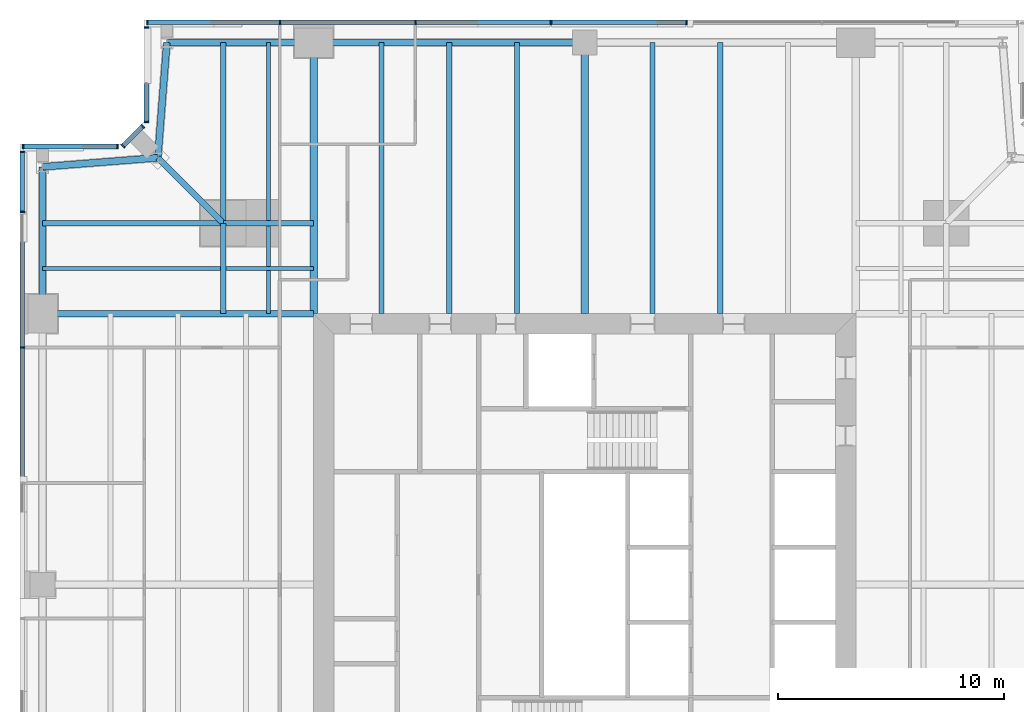
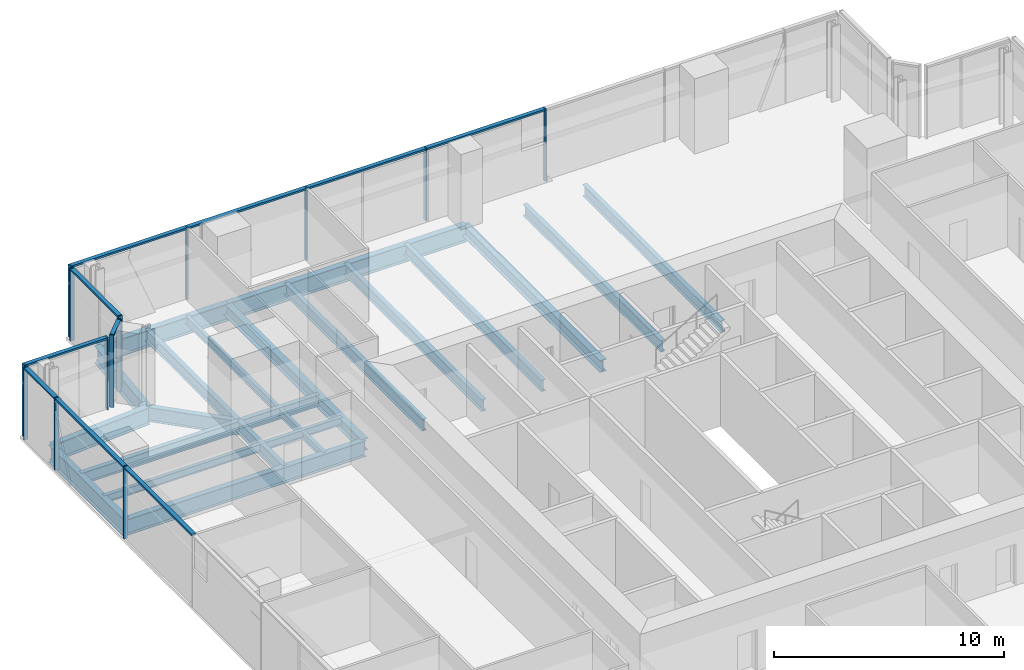
# One storey, part 6 of 16: 24 members, 23 beams, 5 elements without a shape of their own.
"""IFC4 building model written with IfcOpenShell, lengths in metres."""

import ifcopenshell
import ifcopenshell.guid

model = None  # the IFC model being written
_history = None  # IfcOwnerHistory: only IFC2X3 demands one
_inside = {}  # id of a spatial element -> (the spatial element, [elements in it])
_under = {}  # id of a project, library or spatial element -> (it, [spatial elements below it])
_declared = {}  # id of a project -> (the project, [libraries it declares])
_typed = {}  # id of a type object -> (the type object, [elements of that type])
_made_of = {}  # id of a material, layer set ... -> (it, [elements and type objects made of it])


def new_model(schema):
    """Start an empty IFC model of exactly this schema.

    Asked for "IFC4X3", IfcOpenShell would pick the latest addendum, in which some entities
    have other attributes; the version numbers below select the first issue.
    IFC2X3 requires an IfcOwnerHistory on every rooted entity: one is made here for all.
    """
    global model, _history
    if schema == "IFC4X3":
        model = ifcopenshell.file(schema_version=(4, 3, 0, 0))
    else:
        model = ifcopenshell.file(schema=schema)
    _inside.clear()
    _under.clear()
    _declared.clear()
    _typed.clear()
    _made_of.clear()
    _history = None
    if model.schema == "IFC2X3":
        org = make("IfcOrganization", Name="unknown")
        user = make(
            "IfcPersonAndOrganization",
            ThePerson=make("IfcPerson", FamilyName="unknown"),
            TheOrganization=org,
        )
        app = make(
            "IfcApplication",
            ApplicationDeveloper=org,
            Version="unknown",
            ApplicationFullName="unknown",
            ApplicationIdentifier="unknown",
        )
        _history = make(
            "IfcOwnerHistory",
            OwningUser=user,
            OwningApplication=app,
            ChangeAction="ADDED",
            CreationDate=0,
        )
    return model


def make(cls, **values):
    """One entity of the class cls with the attributes given. An attribute that is None is left unset."""
    return model.create_entity(
        cls, **{name: value for name, value in values.items() if value is not None}
    )


def rooted(cls, **values):
    """An entity with a GlobalId (a new one), such as an element, a storey or a relation."""
    return make(cls, GlobalId=ifcopenshell.guid.new(), OwnerHistory=_history, **values)


def si_unit(unit_type, name, prefix=None):
    """IfcSIUnit, for example si_unit("LENGTHUNIT", "METRE", prefix="MILLI")."""
    return make("IfcSIUnit", UnitType=unit_type, Prefix=prefix, Name=name)


def assignment(units):
    """IfcUnitAssignment: the units of a project."""
    return None if units is None else make("IfcUnitAssignment", Units=units)


def point(xyz):
    """IfcCartesianPoint."""
    return None if xyz is None else make("IfcCartesianPoint", Coordinates=xyz)


def direction(xyz):
    """IfcDirection."""
    return None if xyz is None else make("IfcDirection", DirectionRatios=xyz)


def frame(location, z_axis=None, x_axis=None):
    """IfcAxis2Placement3D, a coordinate frame: its origin and axes. An axis left out is left unset."""
    return make(
        "IfcAxis2Placement3D",
        Location=point(location),
        Axis=direction(z_axis),
        RefDirection=direction(x_axis),
    )


def frame_2d(location, x_axis=None):
    """IfcAxis2Placement2D, a coordinate frame in the plane: its origin and x axis."""
    return make(
        "IfcAxis2Placement2D", Location=point(location), RefDirection=direction(x_axis)
    )


def origin():
    """The frame at (0, 0, 0) with its axes left unset."""
    return frame((0.0, 0.0, 0.0))


def origin_2d():
    """The frame at (0, 0) in the plane with its x axis left unset."""
    return frame_2d((0.0, 0.0))


def place(relative_to, where):
    """IfcLocalPlacement: puts the frame where relative to a parent placement (None: the world)."""
    return make(
        "IfcLocalPlacement", PlacementRelTo=relative_to, RelativePlacement=where
    )


def context(
    kind, dimensions, precision=None, world=None, true_north=None, identifier=None
):
    """IfcGeometricRepresentationContext, for example the 3D "Model" context."""
    return make(
        "IfcGeometricRepresentationContext",
        ContextIdentifier=identifier,
        ContextType=kind,
        CoordinateSpaceDimension=dimensions,
        Precision=precision,
        WorldCoordinateSystem=world,
        TrueNorth=true_north,
    )


def subcontext(parent, identifier, kind, view, scale=None):
    """IfcGeometricRepresentationSubContext, for example "Body" below "Model"."""
    return make(
        "IfcGeometricRepresentationSubContext",
        ContextIdentifier=identifier,
        ContextType=kind,
        ParentContext=parent,
        TargetScale=scale,
        TargetView=view,
    )


def project(units=None, contexts=None):
    """IfcProject with its units and contexts."""
    return rooted(
        "IfcProject",
        Name="project",
        RepresentationContexts=contexts,
        UnitsInContext=assignment(units),
    )


def spatial(cls, under=None, at=None, **own):
    """A site, building, storey or space (cls), placed at a placement, below another one or the project."""
    s = rooted(cls, ObjectPlacement=at, **own)
    if under is not None:
        _under.setdefault(under.id(), (under, []))[1].append(s)
    return s


def profile(cls, at=None, kind="AREA", **sizes):
    """A parametric profile (cls). Its sizes go by their IFC names, for example OverallWidth=200.0."""
    return make(cls, ProfileType=kind, Position=at, **sizes)


def rectangle(**sizes):
    """IfcRectangleProfileDef."""
    return profile("IfcRectangleProfileDef", **sizes)


def i_section(**sizes):
    """IfcIShapeProfileDef."""
    return profile("IfcIShapeProfileDef", **sizes)


def extrude(swept, where, along, depth):
    """IfcExtrudedAreaSolid: the profile swept, set in the frame where, extruded along a direction by depth."""
    return make(
        "IfcExtrudedAreaSolid",
        SweptArea=swept,
        Position=where,
        ExtrudedDirection=direction(along),
        Depth=depth,
    )


def shape(context_of_items, identifier, shape_type, items):
    """IfcShapeRepresentation: the items that make up one representation, for example the "Body"."""
    return make(
        "IfcShapeRepresentation",
        ContextOfItems=context_of_items,
        RepresentationIdentifier=identifier,
        RepresentationType=shape_type,
        Items=items,
    )


def material(Name=None, Category=None):
    """IfcMaterial."""
    return make("IfcMaterial", Name=Name, Category=Category)


def material_profile(
    of_material, cross_section, Name=None, Category=None, Priority=None
):
    """IfcMaterialProfile: a cross section and its material."""
    return make(
        "IfcMaterialProfile",
        Name=Name,
        Material=of_material,
        Profile=cross_section,
        Priority=Priority,
        Category=Category,
    )


def profile_set(profiles, Name=None, composite=None):
    """IfcMaterialProfileSet."""
    return make(
        "IfcMaterialProfileSet",
        Name=Name,
        MaterialProfiles=profiles,
        CompositeProfile=composite,
    )


def made_of(thing, what):
    """Note that an element or type object is made of a material, layer set ...; save() writes the relation."""
    if what is not None:
        _made_of.setdefault(what.id(), (what, []))[1].append(thing)
    return thing


def type_object(cls, material=None, **own):
    """A type object (cls), such as IfcWallType, which elements share."""
    return made_of(rooted(cls, **own), material)


def element(
    cls,
    number,
    at=None,
    inside=None,
    cuts=None,
    type_object=None,
    material=None,
    context=None,
    identifier="Body",
    shape_type=None,
    held_by="IfcProductDefinitionShape",
    body=None,
    shapes=None,
    **own,
):
    """One element of the class cls, such as IfcWall. Its Tag is "e" and its number.

    at: its placement. inside: the storey or other place that contains it. cuts: it is an
    opening in that element (IfcRelVoidsElement). A single representation is given by context,
    identifier, shape_type and body (its items); several are given by shapes. held_by: the class
    of the entity that holds the representations. save() writes the other relations.
    """
    e = rooted(cls, Tag="e%d" % number, ObjectPlacement=at, **own)
    if body is not None:
        shapes = [shape(context, identifier, shape_type, body)]
    if shapes is not None:
        e.Representation = make(held_by, Representations=shapes)
    if inside is not None:
        _inside.setdefault(inside.id(), (inside, []))[1].append(e)
    if cuts is not None:
        rooted(
            "IfcRelVoidsElement", RelatingBuildingElement=cuts, RelatedOpeningElement=e
        )
    if type_object is not None:
        _typed.setdefault(type_object.id(), (type_object, []))[1].append(e)
    return made_of(e, material)


def aggregate(whole, parts):
    """IfcRelAggregates: a whole, such as a stair, and the parts it consists of."""
    return rooted("IfcRelAggregates", RelatingObject=whole, RelatedObjects=parts)


def save(model, path):
    """Write the relations noted so far, then the file.

    IfcRelAggregates (storeys below a building ...), IfcRelContainedInSpatialStructure (elements
    in a storey), IfcRelDefinesByType, IfcRelAssociatesMaterial and IfcRelDeclares: one each for
    every whole, place, type object, material and project.
    """
    for whole, parts in _under.values():
        aggregate(whole, parts)
    for where, things in _inside.values():
        rooted(
            "IfcRelContainedInSpatialStructure",
            RelatedElements=things,
            RelatingStructure=where,
        )
    for kind, things in _typed.values():
        rooted("IfcRelDefinesByType", RelatedObjects=things, RelatingType=kind)
    for what, things in _made_of.values():
        rooted("IfcRelAssociatesMaterial", RelatedObjects=things, RelatingMaterial=what)
    for by, libraries in _declared.values():
        rooted("IfcRelDeclares", RelatingContext=by, RelatedDefinitions=libraries)
    model.write(path)


model = new_model("IFC4")

# Units and contexts
model_context = context("Model", 3, precision=1e-05, world=origin(), true_north=direction((0.0, 1.0)))
body_context = subcontext(model_context, "Body", "Model", "MODEL_VIEW")
ifc_project = project(units=[si_unit("LENGTHUNIT", "METRE"), si_unit("AREAUNIT", "SQUARE_METRE"), si_unit("VOLUMEUNIT", "CUBIC_METRE"), si_unit("PLANEANGLEUNIT", "RADIAN"), si_unit("MASSUNIT", "GRAM", prefix="KILO")], contexts=[model_context])

# Site, building, storey
site_placement = place(None, origin())
site = spatial("IfcSite", under=ifc_project, at=site_placement, CompositionType="ELEMENT")
building_placement = place(site_placement, origin())
building = spatial("IfcBuilding", under=site, at=building_placement, Name="Fenwick Lantern Interchange", CompositionType="ELEMENT")
storey_placement = place(building_placement, frame((0.0, 0.0, 213.800048828125)))
storey = spatial("IfcBuildingStorey", under=building, at=storey_placement, Name="L50", CompositionType="ELEMENT", Elevation=213.800048828125)

# Beams
ifc_material_1 = material(Name="Steel ASTM A992 Grade 50", Category="steel")
ifc_material_profile_1 = material_profile(ifc_material_1, i_section(OverallWidth=0.3046875, OverallDepth=0.911865234375, WebThickness=0.015869140625, FlangeThickness=0.02392578125, at=origin_2d()), Name="W36X150")
ifc_profile_set_1 = profile_set([ifc_material_profile_1], Name="Steel ASTM A992 Grade 50")
beam_type_1 = type_object("IfcBeamType", Name="EDGE BEAM W36X150", PredefinedType="SPANDREL", material=ifc_profile_set_1)
beam_1_placement = place(storey_placement, frame((25.0, 49.0, -0.60595703125), z_axis=(-1.0, 0.0, 0.0), x_axis=(0.0, -1.0, 0.0)))
element("IfcBeam", 1, at=beam_1_placement, inside=storey, type_object=beam_type_1, Name="L50/FR/N/EB3", PredefinedType="SPANDREL", context=body_context, shape_type="SweptSolid", body=[
    extrude(i_section(OverallWidth=0.3046875, OverallDepth=0.911865234375, WebThickness=0.015869140625, FlangeThickness=0.02392578125, at=origin_2d()), origin(), (0.0, 0.0, 1.0), 12.0),
])
beam_2_placement = place(storey_placement, frame((13.0, 49.0, -0.60595703125), z_axis=(-1.0, 0.0, 0.0), x_axis=(0.0, -1.0, 0.0)))
element("IfcBeam", 2, at=beam_2_placement, inside=storey, type_object=beam_type_1, Name="L50/FR/N/EB4", PredefinedType="SPANDREL", context=body_context, shape_type="SweptSolid", body=[
    extrude(i_section(OverallWidth=0.3046875, OverallDepth=0.911865234375, WebThickness=0.015869140625, FlangeThickness=0.02392578125, at=origin_2d()), origin(), (0.0, 0.0, 1.0), 6.5),
])
for number, where, z_axis, x_axis, name in (
    (3, (6.5, 49.0, -0.60595703125), (-0.078170784639, -0.99693998236, 0.0), (0.99693998236, -0.078170784639, 0.0), "L50/FR/N/EBR1"),
    (4, (6.10009765625, 43.89990234375, -0.60595703125), (-0.99693998236, -0.078170784639, 0.0), (0.078170784639, -0.99693998236, 0.0), "L50/FR/N/EBR2"),
):
    element("IfcBeam", number, at=place(storey_placement, frame(where, z_axis=z_axis, x_axis=x_axis)), inside=storey, type_object=beam_type_1, Name=name, PredefinedType="SPANDREL", context=body_context, shape_type="SweptSolid", body=[
        extrude(i_section(OverallWidth=0.3046875, OverallDepth=0.911865234375, WebThickness=0.015869140625, FlangeThickness=0.02392578125, at=origin_2d()), origin(), (0.0, 0.0, 1.0), 5.11572265625),
    ])
beam_3_placement = place(storey_placement, frame((1.0, 43.5, -0.60595703125), z_axis=(0.0, -1.0, 0.0), x_axis=(1.0, 0.0, 0.0)))
element("IfcBeam", 5, at=beam_3_placement, inside=storey, type_object=beam_type_1, Name="L50/FR/W/EB1", PredefinedType="SPANDREL", context=body_context, shape_type="SweptSolid", body=[
    extrude(i_section(OverallWidth=0.3046875, OverallDepth=0.911865234375, WebThickness=0.015869140625, FlangeThickness=0.02392578125, at=origin_2d()), origin(), (0.0, 0.0, 1.0), 6.5),
])
ifc_material_profile_2 = material_profile(ifc_material_1, i_section(OverallWidth=0.22900390625, OverallDepth=0.612060546875, WebThickness=0.011962890625, FlangeThickness=0.01953125, at=origin_2d()), Name="W24X84")
ifc_profile_set_2 = profile_set([ifc_material_profile_2], Name="Steel ASTM A992 Grade 50")
beam_type_2 = type_object("IfcBeamType", Name="FLOOR BEAM W24X84", PredefinedType="BEAM", material=ifc_profile_set_2)
for number, where, z_axis, x_axis, name in (
    (6, (31.0, 49.0, -0.4560546875), (0.0, -1.0, 0.0), (1.0, 0.0, 0.0), "L50/FR/N/R03"),
    (7, (28.0, 49.0, -0.4560546875), (0.0, -1.0, 0.0), (1.0, 0.0, 0.0), "L50/FR/N/R04"),
    (8, (22.0, 49.0, -0.4560546875), (0.0, -1.0, 0.0), (1.0, 0.0, 0.0), "L50/FR/N/R06"),
    (9, (19.0, 49.0, -0.4560546875), (0.0, -1.0, 0.0), (1.0, 0.0, 0.0), "L50/FR/N/R07"),
    (10, (16.0, 49.0, -0.4560546875), (0.0, -1.0, 0.0), (1.0, 0.0, 0.0), "L50/FR/N/R08"),
):
    element("IfcBeam", number, at=place(storey_placement, frame(where, z_axis=z_axis, x_axis=x_axis)), inside=storey, type_object=beam_type_2, Name=name, PredefinedType="BEAM", context=body_context, shape_type="SweptSolid", body=[
        extrude(i_section(OverallWidth=0.22900390625, OverallDepth=0.612060546875, WebThickness=0.011962890625, FlangeThickness=0.01953125, at=origin_2d()), origin(), (0.0, 0.0, 1.0), 12.0),
    ])
ifc_material_profile_3 = material_profile(ifc_material_1, i_section(OverallWidth=0.177734375, OverallDepth=0.406494140625, WebThickness=0.0078125, FlangeThickness=0.012939453125, at=origin_2d()), Name="W16X40")
ifc_profile_set_3 = profile_set([ifc_material_profile_3], Name="Steel ASTM A992 Grade 50")
beam_type_3 = type_object("IfcBeamType", Name="INFILL BEAM W16X40", PredefinedType="JOIST", material=ifc_profile_set_3)
beam_4_placement = place(storey_placement, frame((1.0, 39.0, -0.353271484375), z_axis=(1.0, 0.0, 0.0), x_axis=(0.0, 1.0, 0.0)))
element("IfcBeam", 11, at=beam_4_placement, inside=storey, type_object=beam_type_3, Name="L50/FR/W/J1", PredefinedType="JOIST", context=body_context, shape_type="SweptSolid", body=[
    extrude(i_section(OverallWidth=0.177734375, OverallDepth=0.406494140625, WebThickness=0.0078125, FlangeThickness=0.012939453125, at=origin_2d()), origin(), (0.0, 0.0, 1.0), 7.885498046875),
])
beam_5_placement = place(storey_placement, frame((9.114501953125, 39.0, -0.353271484375), z_axis=(1.0, 0.0, 0.0), x_axis=(0.0, 1.0, 0.0)))
element("IfcBeam", 12, at=beam_5_placement, inside=storey, type_object=beam_type_3, Name="L50/FR/W/J2", PredefinedType="JOIST", context=body_context, shape_type="SweptSolid", body=[
    extrude(i_section(OverallWidth=0.177734375, OverallDepth=0.406494140625, WebThickness=0.0078125, FlangeThickness=0.012939453125, at=origin_2d()), origin(), (0.0, 0.0, 1.0), 3.885498046875),
])
beam_6_placement = place(storey_placement, frame((11.0, 49.0, -0.353271484375), z_axis=(0.0, -1.0, 0.0), x_axis=(1.0, 0.0, 0.0)))
element("IfcBeam", 13, at=beam_6_placement, inside=storey, type_object=beam_type_3, Name="L50/FR/W/J3", PredefinedType="JOIST", context=body_context, shape_type="SweptSolid", body=[
    extrude(i_section(OverallWidth=0.177734375, OverallDepth=0.406494140625, WebThickness=0.0078125, FlangeThickness=0.012939453125, at=origin_2d()), origin(), (0.0, 0.0, 1.0), 7.885498046875),
])
beam_7_placement = place(storey_placement, frame((11.0, 40.885498046875, -0.353271484375), z_axis=(0.0, -1.0, 0.0), x_axis=(1.0, 0.0, 0.0)))
element("IfcBeam", 14, at=beam_7_placement, inside=storey, type_object=beam_type_3, Name="L50/FR/W/J4", PredefinedType="JOIST", context=body_context, shape_type="SweptSolid", body=[
    extrude(i_section(OverallWidth=0.177734375, OverallDepth=0.406494140625, WebThickness=0.0078125, FlangeThickness=0.012939453125, at=origin_2d()), origin(), (0.0, 0.0, 1.0), 1.796630859375),
])
beam_8_placement = place(storey_placement, frame((11.0, 38.9111328125, -0.353271484375), z_axis=(0.0, -1.0, 0.0), x_axis=(1.0, 0.0, 0.0)))
element("IfcBeam", 15, at=beam_8_placement, inside=storey, type_object=beam_type_3, Name="L50/FR/W/J5", PredefinedType="JOIST", context=body_context, shape_type="SweptSolid", body=[
    extrude(i_section(OverallWidth=0.177734375, OverallDepth=0.406494140625, WebThickness=0.0078125, FlangeThickness=0.012939453125, at=origin_2d()), origin(), (0.0, 0.0, 1.0), 1.9111328125),
])
ifc_material_profile_4 = material_profile(ifc_material_1, i_section(OverallWidth=0.22900390625, OverallDepth=0.612060546875, WebThickness=0.011962890625, FlangeThickness=0.01953125, at=origin_2d()), Name="W24X84")
ifc_profile_set_4 = profile_set([ifc_material_profile_4], Name="Steel ASTM A992 Grade 50")
beam_type_4 = type_object("IfcBeamType", Name="MEGA COLUMN BEAM W24X84", PredefinedType="BEAM", material=ifc_profile_set_4)
for number, where, z_axis, x_axis, name in (
    (16, (9.0, 41.0, -0.4560546875), (-1.0, 0.0, 0.0), (0.0, -1.0, 0.0), "L50/FR/W/MB1"),
    (17, (9.0, 41.0, -0.4560546875), (0.0, 1.0, 0.0), (-1.0, 0.0, 0.0), "L50/FR/W/MB2"),
):
    element("IfcBeam", number, at=place(storey_placement, frame(where, z_axis=z_axis, x_axis=x_axis)), inside=storey, type_object=beam_type_4, Name=name, PredefinedType="BEAM", context=body_context, shape_type="SweptSolid", body=[
        extrude(i_section(OverallWidth=0.22900390625, OverallDepth=0.612060546875, WebThickness=0.011962890625, FlangeThickness=0.01953125, at=origin_2d()), origin(), (0.0, 0.0, 1.0), 8.0),
    ])
for number, where, z_axis, x_axis, name in (
    (18, (9.0, 41.0, -0.4560546875), (0.0, -1.0, 0.0), (1.0, 0.0, 0.0), "L50/FR/W/MB3"),
    (19, (9.0, 41.0, -0.4560546875), (1.0, 0.0, 0.0), (0.0, 1.0, 0.0), "L50/FR/W/MB4"),
):
    element("IfcBeam", number, at=place(storey_placement, frame(where, z_axis=z_axis, x_axis=x_axis)), inside=storey, type_object=beam_type_4, Name=name, PredefinedType="BEAM", context=body_context, shape_type="SweptSolid", body=[
        extrude(i_section(OverallWidth=0.22900390625, OverallDepth=0.612060546875, WebThickness=0.011962890625, FlangeThickness=0.01953125, at=origin_2d()), origin(), (0.0, 0.0, 1.0), 4.0),
    ])
ifc_material_profile_5 = material_profile(ifc_material_1, i_section(OverallWidth=0.32763671875, OverallDepth=0.622314453125, WebThickness=0.015380859375, FlangeThickness=0.0244140625, at=origin_2d()), Name="W24X131")
ifc_profile_set_5 = profile_set([ifc_material_profile_5], Name="Steel ASTM A992 Grade 50")
beam_type_5 = type_object("IfcBeamType", Name="MOMENT-CONNECTED GIRDER W24X131", PredefinedType="BEAM", material=ifc_profile_set_5)
for number, where, z_axis, x_axis, name in (
    (20, (25.0, 49.0, -0.461181640625), (0.0, -1.0, 0.0), (1.0, 0.0, 0.0), "L50/FR/N/R05"),
    (21, (13.0, 49.0, -0.461181640625), (0.0, -1.0, 0.0), (1.0, 0.0, 0.0), "L50/FR/N/R09"),
):
    element("IfcBeam", number, at=place(storey_placement, frame(where, z_axis=z_axis, x_axis=x_axis)), inside=storey, type_object=beam_type_5, Name=name, PredefinedType="BEAM", context=body_context, shape_type="SweptSolid", body=[
        extrude(i_section(OverallWidth=0.32763671875, OverallDepth=0.622314453125, WebThickness=0.015380859375, FlangeThickness=0.0244140625, at=origin_2d()), origin(), (0.0, 0.0, 1.0), 12.0),
    ])
ifc_material_profile_6 = material_profile(ifc_material_1, i_section(OverallWidth=0.2919921875, OverallDepth=0.845703125, WebThickness=0.015380859375, FlangeThickness=0.0244140625, at=origin_2d()), Name="W33X141")
ifc_profile_set_6 = profile_set([ifc_material_profile_6], Name="Steel ASTM A992 Grade 50")
beam_type_6 = type_object("IfcBeamType", Name="MOMENT-CONNECTED GIRDER W33X141", PredefinedType="BEAM", material=ifc_profile_set_6)
beam_9_placement = place(storey_placement, frame((1.0, 37.0, -0.572998046875), z_axis=(1.0, 0.0, 0.0), x_axis=(0.0, 1.0, 0.0)))
element("IfcBeam", 22, at=beam_9_placement, inside=storey, type_object=beam_type_6, Name="L50/FR/W/R01", PredefinedType="BEAM", context=body_context, shape_type="SweptSolid", body=[
    extrude(i_section(OverallWidth=0.2919921875, OverallDepth=0.845703125, WebThickness=0.015380859375, FlangeThickness=0.0244140625, at=origin_2d()), origin(), (0.0, 0.0, 1.0), 12.0),
])
ifc_material_profile_7 = material_profile(ifc_material_1, i_section(OverallWidth=0.2666015625, OverallDepth=0.7568359375, WebThickness=0.013916015625, FlangeThickness=0.019287109375, at=origin_2d()), Name="W30X108")
ifc_profile_set_7 = profile_set([ifc_material_profile_7], Name="Steel ASTM A992 Grade 50")
beam_type_7 = type_object("IfcBeamType", Name="NOTCH BEAM W30X108", PredefinedType="BEAM", material=ifc_profile_set_7)
beam_10_placement = place(storey_placement, frame((9.0, 41.0, -0.528564453125), z_axis=(-0.707106781187, 0.707106781187, 0.0), x_axis=(-0.707106781187, -0.707106781187, 0.0)))
element("IfcBeam", 23, at=beam_10_placement, inside=storey, type_object=beam_type_7, Name="L50/FR/W/TG", PredefinedType="BEAM", context=body_context, shape_type="SweptSolid", body=[
    extrude(i_section(OverallWidth=0.2666015625, OverallDepth=0.7568359375, WebThickness=0.013916015625, FlangeThickness=0.019287109375, at=origin_2d()), origin(), (0.0, 0.0, 1.0), 4.10107421875),
])

# Curtain wall, members
ifc_material_2 = material(Name="Aluminium curtain wall frame", Category="aluminium")
curtain_wall_type = type_object("IfcCurtainWallType", Name="OFFICE CURTAIN WALL", PredefinedType="USERDEFINED", material=ifc_material_2)
curtain_wall_1_placement = place(storey_placement, origin())
curtain_wall_1 = element("IfcCurtainWall", 24, at=curtain_wall_1_placement, inside=storey, type_object=curtain_wall_type, Name="Office curtain wall 09", ObjectType="OFFICE CURTAIN WALL", PredefinedType="USERDEFINED")
ifc_material_3 = material(Name="Aluminium extrusion", Category="aluminium")
ifc_material_profile_8 = material_profile(ifc_material_3, rectangle(XDim=0.199951171875, YDim=0.06494140625, at=origin_2d()), Name="OFFICE CURTAIN WALL MULLION 65 X 200")
ifc_profile_set_8 = profile_set([ifc_material_profile_8], Name="Aluminium extrusion")
member_type_1 = type_object("IfcMemberType", Name="OFFICE CURTAIN WALL MULLION 65 X 200", PredefinedType="MULLION", material=ifc_profile_set_8)
member_1_placement = place(storey_placement, frame((29.5, 49.89990234375, 0.0), z_axis=(0.0, 0.0, 1.0), x_axis=(0.0, -1.0, 0.0)))
member_1 = element("IfcMember", 25, at=member_1_placement, type_object=member_type_1, Name="L50/CW/09/M03", PredefinedType="MULLION", context=body_context, shape_type="SweptSolid", body=[
    extrude(rectangle(XDim=0.199951171875, YDim=0.06494140625, at=origin_2d()), origin(), (0.0, 0.0, 1.0), 3.849853515625),
])
member_2_placement = place(storey_placement, frame((23.5, 49.89990234375, 0.0), z_axis=(0.0, 0.0, 1.0), x_axis=(0.0, -1.0, 0.0)))
member_2 = element("IfcMember", 26, at=member_2_placement, type_object=member_type_1, Name="L50/CW/09/M04", PredefinedType="MULLION", context=body_context, shape_type="SweptSolid", body=[
    extrude(rectangle(XDim=0.199951171875, YDim=0.06494140625, at=origin_2d()), origin(), (0.0, 0.0, 1.0), 3.849853515625),
])
member_3_placement = place(storey_placement, frame((17.5, 49.89990234375, 0.0), z_axis=(0.0, 0.0, 1.0), x_axis=(0.0, -1.0, 0.0)))
member_3 = element("IfcMember", 27, at=member_3_placement, type_object=member_type_1, Name="L50/CW/09/M05", PredefinedType="MULLION", context=body_context, shape_type="SweptSolid", body=[
    extrude(rectangle(XDim=0.199951171875, YDim=0.06494140625, at=origin_2d()), origin(), (0.0, 0.0, 1.0), 3.849853515625),
])
member_4_placement = place(storey_placement, frame((11.5, 49.89990234375, 0.0), z_axis=(0.0, 0.0, 1.0), x_axis=(0.0, -1.0, 0.0)))
member_4 = element("IfcMember", 28, at=member_4_placement, type_object=member_type_1, Name="L50/CW/09/M06", PredefinedType="MULLION", context=body_context, shape_type="SweptSolid", body=[
    extrude(rectangle(XDim=0.199951171875, YDim=0.06494140625, at=origin_2d()), origin(), (0.0, 0.0, 1.0), 3.849853515625),
])
member_5_placement = place(storey_placement, frame((5.632568359375, 49.89990234375, 0.0), z_axis=(0.0, 0.0, 1.0), x_axis=(0.0, -1.0, 0.0)))
member_5 = element("IfcMember", 29, at=member_5_placement, type_object=member_type_1, Name="L50/CW/09/M07", PredefinedType="MULLION", context=body_context, shape_type="SweptSolid", body=[
    extrude(rectangle(XDim=0.199951171875, YDim=0.06494140625, at=origin_2d()), origin(), (0.0, 0.0, 1.0), 3.849853515625),
])

curtain_wall_2_placement = place(storey_placement, origin())
curtain_wall_2 = element("IfcCurtainWall", 30, at=curtain_wall_2_placement, inside=storey, type_object=curtain_wall_type, Name="Office curtain wall 10", ObjectType="OFFICE CURTAIN WALL", PredefinedType="USERDEFINED")
member_6_placement = place(storey_placement, frame((5.60009765625, 49.66748046875, 0.0), z_axis=(0.0, 0.0, 1.0), x_axis=(1.0, 0.0, 0.0)))
member_6 = element("IfcMember", 31, at=member_6_placement, type_object=member_type_1, Name="L50/CW/10/M00", PredefinedType="MULLION", context=body_context, shape_type="SweptSolid", body=[
    extrude(rectangle(XDim=0.199951171875, YDim=0.06494140625, at=origin_2d()), origin(), (0.0, 0.0, 1.0), 3.849853515625),
])
member_7_placement = place(storey_placement, frame((5.60009765625, 45.490966796875, 0.0), z_axis=(0.0, 0.0, 1.0), x_axis=(1.0, 0.0, 0.0)))
member_7 = element("IfcMember", 32, at=member_7_placement, type_object=member_type_1, Name="L50/CW/10/M01", PredefinedType="MULLION", context=body_context, shape_type="SweptSolid", body=[
    extrude(rectangle(XDim=0.199951171875, YDim=0.06494140625, at=origin_2d()), origin(), (0.0, 0.0, 1.0), 3.849853515625),
])

curtain_wall_3_placement = place(storey_placement, origin())
curtain_wall_3 = element("IfcCurtainWall", 33, at=curtain_wall_3_placement, inside=storey, type_object=curtain_wall_type, Name="Office curtain wall 11", ObjectType="OFFICE CURTAIN WALL", PredefinedType="USERDEFINED")
member_8_placement = place(storey_placement, frame((5.435546875, 45.294189453125, 0.0), z_axis=(0.0, 0.0, 1.0), x_axis=(0.707106781187, -0.707106781187, 0.0)))
member_8 = element("IfcMember", 34, at=member_8_placement, type_object=member_type_1, Name="L50/CW/11/M00", PredefinedType="MULLION", context=body_context, shape_type="SweptSolid", body=[
    extrude(rectangle(XDim=0.199951171875, YDim=0.06494140625, at=origin_2d()), origin(), (0.0, 0.0, 1.0), 3.849853515625),
])
member_9_placement = place(storey_placement, frame((4.564453125, 44.423095703125, 0.0), z_axis=(0.0, 0.0, 1.0), x_axis=(0.707106781187, -0.707106781187, 0.0)))
member_9 = element("IfcMember", 35, at=member_9_placement, type_object=member_type_1, Name="L50/CW/11/M01", PredefinedType="MULLION", context=body_context, shape_type="SweptSolid", body=[
    extrude(rectangle(XDim=0.199951171875, YDim=0.06494140625, at=origin_2d()), origin(), (0.0, 0.0, 1.0), 3.849853515625),
])

curtain_wall_4_placement = place(storey_placement, origin())
curtain_wall_4 = element("IfcCurtainWall", 36, at=curtain_wall_4_placement, inside=storey, type_object=curtain_wall_type, Name="Office curtain wall 12", ObjectType="OFFICE CURTAIN WALL", PredefinedType="USERDEFINED")
member_10_placement = place(storey_placement, frame((4.308837890625, 44.39990234375, 0.0), z_axis=(0.0, 0.0, 1.0), x_axis=(0.0, -1.0, 0.0)))
member_10 = element("IfcMember", 37, at=member_10_placement, type_object=member_type_1, Name="L50/CW/12/M00", PredefinedType="MULLION", context=body_context, shape_type="SweptSolid", body=[
    extrude(rectangle(XDim=0.199951171875, YDim=0.06494140625, at=origin_2d()), origin(), (0.0, 0.0, 1.0), 3.849853515625),
])
member_11_placement = place(storey_placement, frame((0.132568359375, 44.39990234375, 0.0), z_axis=(0.0, 0.0, 1.0), x_axis=(0.0, -1.0, 0.0)))
member_11 = element("IfcMember", 38, at=member_11_placement, type_object=member_type_1, Name="L50/CW/12/M01", PredefinedType="MULLION", context=body_context, shape_type="SweptSolid", body=[
    extrude(rectangle(XDim=0.199951171875, YDim=0.06494140625, at=origin_2d()), origin(), (0.0, 0.0, 1.0), 3.849853515625),
])

curtain_wall_5_placement = place(storey_placement, origin())
curtain_wall_5 = element("IfcCurtainWall", 39, at=curtain_wall_5_placement, inside=storey, type_object=curtain_wall_type, Name="Office curtain wall 13", ObjectType="OFFICE CURTAIN WALL", PredefinedType="USERDEFINED")
member_12_placement = place(storey_placement, frame((0.10009765625, 44.16748046875, 0.0), z_axis=(0.0, 0.0, 1.0), x_axis=(1.0, 0.0, 0.0)))
member_12 = element("IfcMember", 40, at=member_12_placement, type_object=member_type_1, Name="L50/CW/13/M00", PredefinedType="MULLION", context=body_context, shape_type="SweptSolid", body=[
    extrude(rectangle(XDim=0.199951171875, YDim=0.06494140625, at=origin_2d()), origin(), (0.0, 0.0, 1.0), 3.849853515625),
])
member_13_placement = place(storey_placement, frame((0.10009765625, 41.5, 0.0), z_axis=(0.0, 0.0, 1.0), x_axis=(1.0, 0.0, 0.0)))
member_13 = element("IfcMember", 41, at=member_13_placement, type_object=member_type_1, Name="L50/CW/13/M01", PredefinedType="MULLION", context=body_context, shape_type="SweptSolid", body=[
    extrude(rectangle(XDim=0.199951171875, YDim=0.06494140625, at=origin_2d()), origin(), (0.0, 0.0, 1.0), 3.849853515625),
])
member_14_placement = place(storey_placement, frame((0.10009765625, 35.5, 0.0), z_axis=(0.0, 0.0, 1.0), x_axis=(1.0, 0.0, 0.0)))
member_14 = element("IfcMember", 42, at=member_14_placement, type_object=member_type_1, Name="L50/CW/13/M02", PredefinedType="MULLION", context=body_context, shape_type="SweptSolid", body=[
    extrude(rectangle(XDim=0.199951171875, YDim=0.06494140625, at=origin_2d()), origin(), (0.0, 0.0, 1.0), 3.849853515625),
])

# Member
ifc_material_profile_9 = material_profile(ifc_material_3, rectangle(XDim=0.199951171875, YDim=0.10009765625, at=origin_2d()), Name="OFFICE CURTAIN WALL TRANSOM 100 X 200")
ifc_profile_set_9 = profile_set([ifc_material_profile_9], Name="Aluminium extrusion")
member_type_2 = type_object("IfcMemberType", Name="OFFICE CURTAIN WALL TRANSOM 100 X 200", PredefinedType="MULLION", material=ifc_profile_set_9)
member_15_placement = place(storey_placement, frame((29.467529296875, 49.89990234375, 3.800048828125), z_axis=(-1.0, 0.0, 0.0), x_axis=(0.0, -1.0, 0.0)))
member_15 = element("IfcMember", 43, at=member_15_placement, type_object=member_type_2, Name="L50/CW/09/T03", PredefinedType="MULLION", context=body_context, shape_type="SweptSolid", body=[
    extrude(rectangle(XDim=0.199951171875, YDim=0.10009765625, at=origin_2d()), origin(), (0.0, 0.0, 1.0), 5.93505859375),
])

member_16_placement = place(storey_placement, frame((23.467529296875, 49.89990234375, 3.800048828125), z_axis=(-1.0, 0.0, 0.0), x_axis=(0.0, -1.0, 0.0)))
member_16 = element("IfcMember", 44, at=member_16_placement, type_object=member_type_2, Name="L50/CW/09/T04", PredefinedType="MULLION", context=body_context, shape_type="SweptSolid", body=[
    extrude(rectangle(XDim=0.199951171875, YDim=0.10009765625, at=origin_2d()), origin(), (0.0, 0.0, 1.0), 5.93505859375),
])

member_17_placement = place(storey_placement, frame((17.467529296875, 49.89990234375, 3.800048828125), z_axis=(-1.0, 0.0, 0.0), x_axis=(0.0, -1.0, 0.0)))
member_17 = element("IfcMember", 45, at=member_17_placement, type_object=member_type_2, Name="L50/CW/09/T05", PredefinedType="MULLION", context=body_context, shape_type="SweptSolid", body=[
    extrude(rectangle(XDim=0.199951171875, YDim=0.10009765625, at=origin_2d()), origin(), (0.0, 0.0, 1.0), 5.93505859375),
])

member_18_placement = place(storey_placement, frame((11.467529296875, 49.89990234375, 3.800048828125), z_axis=(-1.0, 0.0, 0.0), x_axis=(0.0, -1.0, 0.0)))
member_18 = element("IfcMember", 46, at=member_18_placement, type_object=member_type_2, Name="L50/CW/09/T06", PredefinedType="MULLION", context=body_context, shape_type="SweptSolid", body=[
    extrude(rectangle(XDim=0.199951171875, YDim=0.10009765625, at=origin_2d()), origin(), (0.0, 0.0, 1.0), 5.802490234375),
])

aggregate(curtain_wall_1, [member_1, member_2, member_3, member_4, member_5, member_15, member_16, member_17, member_18])

member_19_placement = place(storey_placement, frame((5.60009765625, 49.635009765625, 3.800048828125), z_axis=(0.0, -1.0, 0.0), x_axis=(1.0, 0.0, 0.0)))
member_19 = element("IfcMember", 47, at=member_19_placement, type_object=member_type_2, Name="L50/CW/10/T00", PredefinedType="MULLION", context=body_context, shape_type="SweptSolid", body=[
    extrude(rectangle(XDim=0.199951171875, YDim=0.10009765625, at=origin_2d()), origin(), (0.0, 0.0, 1.0), 4.111328125),
])

aggregate(curtain_wall_2, [member_6, member_7, member_19])

member_20_placement = place(storey_placement, frame((5.41259765625, 45.271240234375, 3.800048828125), z_axis=(-0.707106781187, -0.707106781187, 0.0), x_axis=(0.707106781187, -0.707106781187, 0.0)))
member_20 = element("IfcMember", 48, at=member_20_placement, type_object=member_type_2, Name="L50/CW/11/T00", PredefinedType="MULLION", context=body_context, shape_type="SweptSolid", body=[
    extrude(rectangle(XDim=0.199951171875, YDim=0.10009765625, at=origin_2d()), origin(), (0.0, 0.0, 1.0), 1.1669921875),
])

aggregate(curtain_wall_3, [member_8, member_9, member_20])

member_21_placement = place(storey_placement, frame((4.2763671875, 44.39990234375, 3.800048828125), z_axis=(-1.0, 0.0, 0.0), x_axis=(0.0, -1.0, 0.0)))
member_21 = element("IfcMember", 49, at=member_21_placement, type_object=member_type_2, Name="L50/CW/12/T00", PredefinedType="MULLION", context=body_context, shape_type="SweptSolid", body=[
    extrude(rectangle(XDim=0.199951171875, YDim=0.10009765625, at=origin_2d()), origin(), (0.0, 0.0, 1.0), 4.111328125),
])

aggregate(curtain_wall_4, [member_10, member_11, member_21])

member_22_placement = place(storey_placement, frame((0.10009765625, 44.135009765625, 3.800048828125), z_axis=(0.0, -1.0, 0.0), x_axis=(1.0, 0.0, 0.0)))
member_22 = element("IfcMember", 50, at=member_22_placement, type_object=member_type_2, Name="L50/CW/13/T00", PredefinedType="MULLION", context=body_context, shape_type="SweptSolid", body=[
    extrude(rectangle(XDim=0.199951171875, YDim=0.10009765625, at=origin_2d()), origin(), (0.0, 0.0, 1.0), 2.6025390625),
])

member_23_placement = place(storey_placement, frame((0.10009765625, 41.467529296875, 3.800048828125), z_axis=(0.0, -1.0, 0.0), x_axis=(1.0, 0.0, 0.0)))
member_23 = element("IfcMember", 51, at=member_23_placement, type_object=member_type_2, Name="L50/CW/13/T01", PredefinedType="MULLION", context=body_context, shape_type="SweptSolid", body=[
    extrude(rectangle(XDim=0.199951171875, YDim=0.10009765625, at=origin_2d()), origin(), (0.0, 0.0, 1.0), 5.93505859375),
])

member_24_placement = place(storey_placement, frame((0.10009765625, 35.467529296875, 3.800048828125), z_axis=(0.0, -1.0, 0.0), x_axis=(1.0, 0.0, 0.0)))
member_24 = element("IfcMember", 52, at=member_24_placement, type_object=member_type_2, Name="L50/CW/13/T02", PredefinedType="MULLION", context=body_context, shape_type="SweptSolid", body=[
    extrude(rectangle(XDim=0.199951171875, YDim=0.10009765625, at=origin_2d()), origin(), (0.0, 0.0, 1.0), 5.93505859375),
])

aggregate(curtain_wall_5, [member_12, member_13, member_14, member_22, member_23, member_24])

save(model, "model.ifc")
